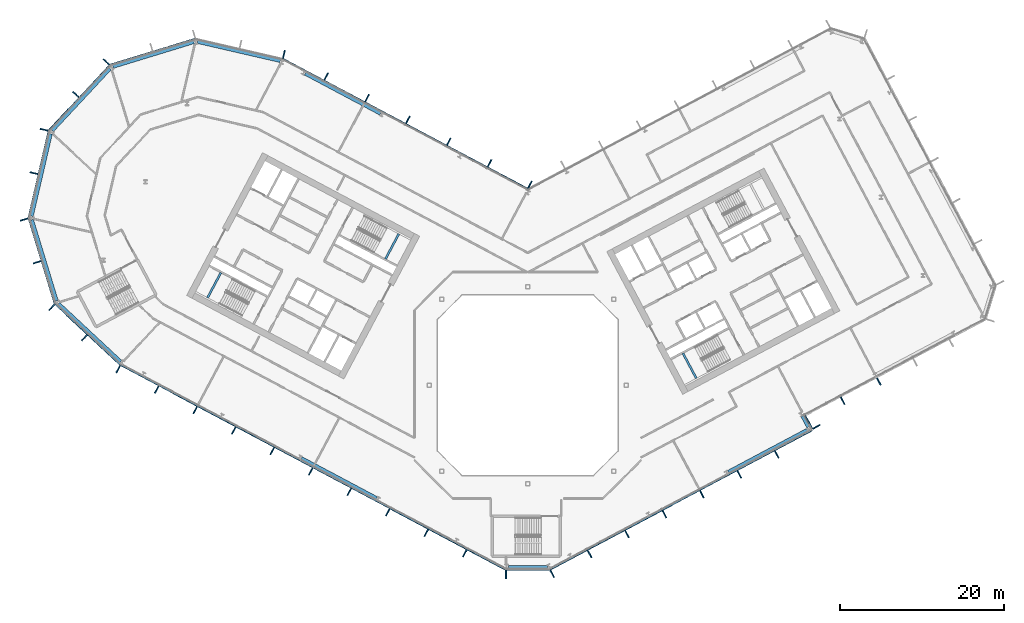
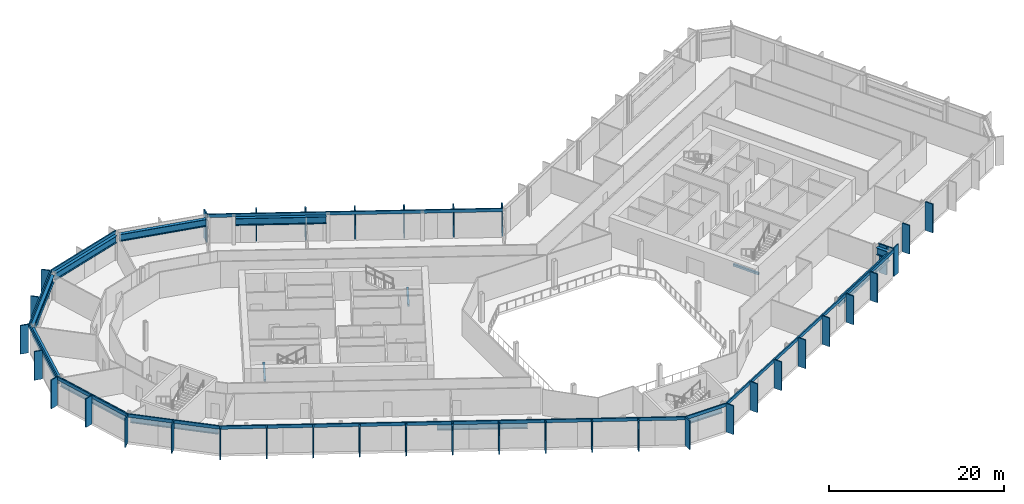
# One storey, part 9 of 28: 47 members, 14 beams, 12 elements without a shape of their own.
"""IFC4 building model written with IfcOpenShell, lengths in metres."""

from ifc_helpers import new_model, si_unit, direction, frame, origin, origin_2d, place, context, subcontext, project, spatial, rectangle, i_section, extrude, material, layer, layer_set, material_profile, profile_set, type_object, element, aggregate, save


model = new_model("IFC4")

# Units and contexts
model_context = context("Model", 3, precision=1e-05, world=origin(), true_north=direction((0.0, 1.0)))
body_context = subcontext(model_context, "Body", "Model", "MODEL_VIEW")
ifc_project = project(units=[si_unit("LENGTHUNIT", "METRE"), si_unit("AREAUNIT", "SQUARE_METRE"), si_unit("VOLUMEUNIT", "CUBIC_METRE"), si_unit("PLANEANGLEUNIT", "RADIAN"), si_unit("MASSUNIT", "GRAM", prefix="KILO")], contexts=[model_context])

# Site, building, storey
site_placement = place(None, origin())
site = spatial("IfcSite", under=ifc_project, at=site_placement, CompositionType="ELEMENT")
building_placement = place(site_placement, origin())
building = spatial("IfcBuilding", under=site, at=building_placement, Name="Cormorant Relay Tower", CompositionType="ELEMENT")
storey_placement = place(building_placement, frame((0.0, 0.0, 130.199951171875)))
storey = spatial("IfcBuildingStorey", under=building, at=storey_placement, Name="L26", CompositionType="ELEMENT", Elevation=130.199951171875)

# Curtain wall, member
ifc_material_1 = material(Name="Aluminium 6063-T6 anodised bronze", Category="aluminium")
ifc_layer = layer(ifc_material_1, 0.199951171875)
ifc_layer_set = layer_set([ifc_layer], Name="CW1 unitised bronze curtain wall with vertical fins")
curtain_wall_type = type_object("IfcCurtainWallType", Name="CW1 unitised bronze curtain wall with vertical fins", PredefinedType="NOTDEFINED", material=ifc_layer_set)
curtain_wall_1_placement = place(storey_placement, origin())
curtain_wall_1 = element("IfcCurtainWall", 1, at=curtain_wall_1_placement, inside=storey, type_object=curtain_wall_type, Name="CW1 curtain wall 1", PredefinedType="NOTDEFINED")
ifc_material_2 = material(Name="Aluminium 6063-T6 anodised bronze", Category="aluminium")
ifc_material_profile_1 = material_profile(ifc_material_2, rectangle(XDim=0.14990234375, YDim=1.0, at=origin_2d()), Name="AL 150x1000")
ifc_profile_set_1 = profile_set([ifc_material_profile_1], Name="Aluminium 6063-T6 anodised bronze")
member_type_1 = type_object("IfcMemberType", Name="CW1 bronze fin mullion 150 x 1000", PredefinedType="MULLION", material=ifc_profile_set_1)
member_1_placement = place(storey_placement, frame((-2.648681640625, -23.07568359375, 0.0), z_axis=(0.0, 0.0, 1.0), x_axis=(1.0, 0.0, 0.0)))
member_1 = element("IfcMember", 2, at=member_1_placement, type_object=member_type_1, Name="CW1 fin 1.1", PredefinedType="MULLION", context=body_context, shape_type="SweptSolid", body=[
    extrude(rectangle(XDim=0.14990234375, YDim=1.0, at=origin_2d()), origin(), (0.0, 0.0, 1.0), 4.0),
])

# Curtain wall, members
curtain_wall_2_placement = place(storey_placement, origin())
curtain_wall_2 = element("IfcCurtainWall", 3, at=curtain_wall_2_placement, inside=storey, type_object=curtain_wall_type, Name="CW1 curtain wall 2", PredefinedType="NOTDEFINED")
member_2_placement = place(storey_placement, frame((2.9775390625, -22.99365234375, 0.0), z_axis=(0.0, 0.0, 1.0), x_axis=(0.882947592859, 0.469471562786, 0.0)))
member_2 = element("IfcMember", 4, at=member_2_placement, type_object=member_type_1, Name="CW1 fin 2.1", PredefinedType="MULLION", context=body_context, shape_type="SweptSolid", body=[
    extrude(rectangle(XDim=0.14990234375, YDim=1.0, at=origin_2d()), origin(), (0.0, 0.0, 1.0), 4.0),
])
member_3_placement = place(storey_placement, frame((7.539306640625, -20.568115234375, 0.0), z_axis=(0.0, 0.0, 1.0), x_axis=(0.882947592859, 0.469471562786, 0.0)))
member_3 = element("IfcMember", 5, at=member_3_placement, type_object=member_type_1, Name="CW1 fin 2.2", PredefinedType="MULLION", context=body_context, shape_type="SweptSolid", body=[
    extrude(rectangle(XDim=0.14990234375, YDim=1.0, at=origin_2d()), origin(), (0.0, 0.0, 1.0), 4.0),
])
member_4_placement = place(storey_placement, frame((12.10107421875, -18.142578125, 0.0), z_axis=(0.0, 0.0, 1.0), x_axis=(0.882947592859, 0.469471562786, 0.0)))
member_4 = element("IfcMember", 6, at=member_4_placement, type_object=member_type_1, Name="CW1 fin 2.3", PredefinedType="MULLION", context=body_context, shape_type="SweptSolid", body=[
    extrude(rectangle(XDim=0.14990234375, YDim=1.0, at=origin_2d()), origin(), (0.0, 0.0, 1.0), 4.0),
])
member_5_placement = place(storey_placement, frame((16.662841796875, -15.717041015625, 0.0), z_axis=(0.0, 0.0, 1.0), x_axis=(0.882947592859, 0.469471562786, 0.0)))
member_5 = element("IfcMember", 7, at=member_5_placement, type_object=member_type_1, Name="CW1 fin 2.4", PredefinedType="MULLION", context=body_context, shape_type="SweptSolid", body=[
    extrude(rectangle(XDim=0.14990234375, YDim=1.0, at=origin_2d()), origin(), (0.0, 0.0, 1.0), 4.0),
])
member_6_placement = place(storey_placement, frame((21.224609375, -13.29150390625, 0.0), z_axis=(0.0, 0.0, 1.0), x_axis=(0.882947592859, 0.469471562786, 0.0)))
member_6 = element("IfcMember", 8, at=member_6_placement, type_object=member_type_1, Name="CW1 fin 2.5", PredefinedType="MULLION", context=body_context, shape_type="SweptSolid", body=[
    extrude(rectangle(XDim=0.14990234375, YDim=1.0, at=origin_2d()), origin(), (0.0, 0.0, 1.0), 4.0),
])
member_7_placement = place(storey_placement, frame((25.78662109375, -10.865966796875, 0.0), z_axis=(0.0, 0.0, 1.0), x_axis=(0.882947592859, 0.469471562786, 0.0)))
member_7 = element("IfcMember", 9, at=member_7_placement, type_object=member_type_1, Name="CW1 fin 2.6", PredefinedType="MULLION", context=body_context, shape_type="SweptSolid", body=[
    extrude(rectangle(XDim=0.14990234375, YDim=1.0, at=origin_2d()), origin(), (0.0, 0.0, 1.0), 4.0),
])
member_8_placement = place(storey_placement, frame((30.348388671875, -8.440185546875, 0.0), z_axis=(0.0, 0.0, 1.0), x_axis=(0.882947592859, 0.469471562786, 0.0)))
member_8 = element("IfcMember", 10, at=member_8_placement, type_object=member_type_1, Name="CW1 fin 2.7", PredefinedType="MULLION", context=body_context, shape_type="SweptSolid", body=[
    extrude(rectangle(XDim=0.14990234375, YDim=1.0, at=origin_2d()), origin(), (0.0, 0.0, 1.0), 4.0),
])

# Curtain wall, member
curtain_wall_3_placement = place(storey_placement, origin())
curtain_wall_3 = element("IfcCurtainWall", 11, at=curtain_wall_3_placement, inside=storey, type_object=curtain_wall_type, Name="CW1 curtain wall 3", PredefinedType="NOTDEFINED")
member_9_placement = place(storey_placement, frame((35.199462890625, -5.068115234375, 0.0), z_axis=(0.0, 0.0, 1.0), x_axis=(-0.469471562786, 0.882947592859, 0.0)))
member_9 = element("IfcMember", 12, at=member_9_placement, type_object=member_type_1, Name="CW1 fin 3.1", PredefinedType="MULLION", context=body_context, shape_type="SweptSolid", body=[
    extrude(rectangle(XDim=0.14990234375, YDim=1.0, at=origin_2d()), origin(), (0.0, 0.0, 1.0), 4.0),
])

# Curtain wall, members
curtain_wall_4_placement = place(storey_placement, origin())
curtain_wall_4 = element("IfcCurtainWall", 13, at=curtain_wall_4_placement, inside=storey, type_object=curtain_wall_type, Name="CW1 curtain wall 4", PredefinedType="NOTDEFINED")
member_10_placement = place(storey_placement, frame((34.037353515625, -4.213623046875, 0.0), z_axis=(0.0, 0.0, 1.0), x_axis=(0.882947592859, 0.469471562786, 0.0)))
member_10 = element("IfcMember", 14, at=member_10_placement, type_object=member_type_1, Name="CW1 fin 4.1", PredefinedType="MULLION", context=body_context, shape_type="SweptSolid", body=[
    extrude(rectangle(XDim=0.14990234375, YDim=1.0, at=origin_2d()), origin(), (0.0, 0.0, 1.0), 4.0),
])
member_11_placement = place(storey_placement, frame((38.385986328125, -1.901611328125, 0.0), z_axis=(0.0, 0.0, 1.0), x_axis=(0.882947592859, 0.469471562786, 0.0)))
member_11 = element("IfcMember", 15, at=member_11_placement, type_object=member_type_1, Name="CW1 fin 4.2", PredefinedType="MULLION", context=body_context, shape_type="SweptSolid", body=[
    extrude(rectangle(XDim=0.14990234375, YDim=1.0, at=origin_2d()), origin(), (0.0, 0.0, 1.0), 4.0),
])
member_12_placement = place(storey_placement, frame((42.800537109375, 0.44580078125, 0.0), z_axis=(0.0, 0.0, 1.0), x_axis=(0.882947592859, 0.469471562786, 0.0)))
member_12 = element("IfcMember", 16, at=member_12_placement, type_object=member_type_1, Name="CW1 fin 4.3", PredefinedType="MULLION", context=body_context, shape_type="SweptSolid", body=[
    extrude(rectangle(XDim=0.14990234375, YDim=1.0, at=origin_2d()), origin(), (0.0, 0.0, 1.0), 4.0),
])
aggregate(curtain_wall_4, [member_10, member_11, member_12])

curtain_wall_5_placement = place(storey_placement, origin())
curtain_wall_5 = element("IfcCurtainWall", 17, at=curtain_wall_5_placement, inside=storey, type_object=curtain_wall_type, Name="CW1 curtain wall 9", PredefinedType="NOTDEFINED")
member_13_placement = place(storey_placement, frame((0.262451171875, 24.437255859375, 0.0), z_axis=(0.0, 0.0, 1.0), x_axis=(-0.882947592859, 0.469471562786, 0.0)))
member_13 = element("IfcMember", 18, at=member_13_placement, type_object=member_type_1, Name="CW1 fin 9.1", PredefinedType="MULLION", context=body_context, shape_type="SweptSolid", body=[
    extrude(rectangle(XDim=0.14990234375, YDim=1.0, at=origin_2d()), origin(), (0.0, 0.0, 1.0), 4.0),
])
member_14_placement = place(storey_placement, frame((-4.650390625, 27.04931640625, 0.0), z_axis=(0.0, 0.0, 1.0), x_axis=(-0.882947592859, 0.469471562786, 0.0)))
member_14 = element("IfcMember", 19, at=member_14_placement, type_object=member_type_1, Name="CW1 fin 9.2", PredefinedType="MULLION", context=body_context, shape_type="SweptSolid", body=[
    extrude(rectangle(XDim=0.14990234375, YDim=1.0, at=origin_2d()), origin(), (0.0, 0.0, 1.0), 4.0),
])
member_15_placement = place(storey_placement, frame((-9.62939453125, 29.69677734375, 0.0), z_axis=(0.0, 0.0, 1.0), x_axis=(-0.882947592859, 0.469471562786, 0.0)))
member_15 = element("IfcMember", 20, at=member_15_placement, type_object=member_type_1, Name="CW1 fin 9.3", PredefinedType="MULLION", context=body_context, shape_type="SweptSolid", body=[
    extrude(rectangle(XDim=0.14990234375, YDim=1.0, at=origin_2d()), origin(), (0.0, 0.0, 1.0), 4.0),
])
member_16_placement = place(storey_placement, frame((-14.608154296875, 32.343994140625, 0.0), z_axis=(0.0, 0.0, 1.0), x_axis=(-0.882947592859, 0.469471562786, 0.0)))
member_16 = element("IfcMember", 21, at=member_16_placement, type_object=member_type_1, Name="CW1 fin 9.4", PredefinedType="MULLION", context=body_context, shape_type="SweptSolid", body=[
    extrude(rectangle(XDim=0.14990234375, YDim=1.0, at=origin_2d()), origin(), (0.0, 0.0, 1.0), 4.0),
])
member_17_placement = place(storey_placement, frame((-19.587158203125, 34.991455078125, 0.0), z_axis=(0.0, 0.0, 1.0), x_axis=(-0.882947592859, 0.469471562786, 0.0)))
member_17 = element("IfcMember", 22, at=member_17_placement, type_object=member_type_1, Name="CW1 fin 9.5", PredefinedType="MULLION", context=body_context, shape_type="SweptSolid", body=[
    extrude(rectangle(XDim=0.14990234375, YDim=1.0, at=origin_2d()), origin(), (0.0, 0.0, 1.0), 4.0),
])
member_18_placement = place(storey_placement, frame((-24.566162109375, 37.638916015625, 0.0), z_axis=(0.0, 0.0, 1.0), x_axis=(-0.882947592859, 0.469471562786, 0.0)))
member_18 = element("IfcMember", 23, at=member_18_placement, type_object=member_type_1, Name="CW1 fin 9.6", PredefinedType="MULLION", context=body_context, shape_type="SweptSolid", body=[
    extrude(rectangle(XDim=0.14990234375, YDim=1.0, at=origin_2d()), origin(), (0.0, 0.0, 1.0), 4.0),
])

# Curtain wall, member
curtain_wall_6_placement = place(storey_placement, origin())
curtain_wall_6 = element("IfcCurtainWall", 24, at=curtain_wall_6_placement, inside=storey, type_object=curtain_wall_type, Name="CW1 curtain wall 10", PredefinedType="NOTDEFINED")
member_19_placement = place(storey_placement, frame((-29.71630859375, 40.35009765625, 0.0), z_axis=(0.0, 0.0, 1.0), x_axis=(-0.974370064785, 0.224951054344, 0.0)))
member_19 = element("IfcMember", 25, at=member_19_placement, type_object=member_type_1, Name="CW1 fin 10.1", PredefinedType="MULLION", context=body_context, shape_type="SweptSolid", body=[
    extrude(rectangle(XDim=0.14990234375, YDim=1.0, at=origin_2d()), origin(), (0.0, 0.0, 1.0), 4.0),
])
aggregate(curtain_wall_6, [member_19])

# Curtain wall, members
curtain_wall_7_placement = place(storey_placement, origin())
curtain_wall_7 = element("IfcCurtainWall", 26, at=curtain_wall_7_placement, inside=storey, type_object=curtain_wall_type, Name="CW1 curtain wall 12", PredefinedType="NOTDEFINED")
member_20_placement = place(storey_placement, frame((-51.372802734375, 39.41259765625, 0.0), z_axis=(0.0, 0.0, 1.0), x_axis=(-0.681998360062, -0.731353701619, 0.0)))
member_20 = element("IfcMember", 27, at=member_20_placement, type_object=member_type_1, Name="CW1 fin 12.1", PredefinedType="MULLION", context=body_context, shape_type="SweptSolid", body=[
    extrude(rectangle(XDim=0.14990234375, YDim=1.0, at=origin_2d()), origin(), (0.0, 0.0, 1.0), 4.0),
])
member_21_placement = place(storey_placement, frame((-55.07958984375, 35.4375, 0.0), z_axis=(0.0, 0.0, 1.0), x_axis=(-0.681998360062, -0.731353701619, 0.0)))
member_21 = element("IfcMember", 28, at=member_21_placement, type_object=member_type_1, Name="CW1 fin 12.2", PredefinedType="MULLION", context=body_context, shape_type="SweptSolid", body=[
    extrude(rectangle(XDim=0.14990234375, YDim=1.0, at=origin_2d()), origin(), (0.0, 0.0, 1.0), 4.0),
])

curtain_wall_8_placement = place(storey_placement, origin())
curtain_wall_8 = element("IfcCurtainWall", 29, at=curtain_wall_8_placement, inside=storey, type_object=curtain_wall_type, Name="CW1 curtain wall 13", PredefinedType="NOTDEFINED")
member_22_placement = place(storey_placement, frame((-58.95654296875, 31.142578125, 0.0), z_axis=(0.0, 0.0, 1.0), x_axis=(-0.224951054344, -0.974370064785, 0.0)))
member_22 = element("IfcMember", 30, at=member_22_placement, type_object=member_type_1, Name="CW1 fin 13.1", PredefinedType="MULLION", context=body_context, shape_type="SweptSolid", body=[
    extrude(rectangle(XDim=0.14990234375, YDim=1.0, at=origin_2d()), origin(), (0.0, 0.0, 1.0), 4.0),
])
member_23_placement = place(storey_placement, frame((-60.17919921875, 25.8466796875, 0.0), z_axis=(0.0, 0.0, 1.0), x_axis=(-0.224951054344, -0.974370064785, 0.0)))
member_23 = element("IfcMember", 31, at=member_23_placement, type_object=member_type_1, Name="CW1 fin 13.2", PredefinedType="MULLION", context=body_context, shape_type="SweptSolid", body=[
    extrude(rectangle(XDim=0.14990234375, YDim=1.0, at=origin_2d()), origin(), (0.0, 0.0, 1.0), 4.0),
])

curtain_wall_9_placement = place(storey_placement, origin())
curtain_wall_9 = element("IfcCurtainWall", 32, at=curtain_wall_9_placement, inside=storey, type_object=curtain_wall_type, Name="CW1 curtain wall 14", PredefinedType="NOTDEFINED")
member_24_placement = place(storey_placement, frame((-61.389404296875, 20.188720703125, 0.0), z_axis=(0.0, 0.0, 1.0), x_axis=(0.292371704723, -0.956304755963, 0.0)))
member_24 = element("IfcMember", 33, at=member_24_placement, type_object=member_type_1, Name="CW1 fin 14.1", PredefinedType="MULLION", context=body_context, shape_type="SweptSolid", body=[
    extrude(rectangle(XDim=0.14990234375, YDim=1.0, at=origin_2d()), origin(), (0.0, 0.0, 1.0), 4.0),
])
member_25_placement = place(storey_placement, frame((-59.80029296875, 14.990966796875, 0.0), z_axis=(0.0, 0.0, 1.0), x_axis=(0.292371704723, -0.956304755963, 0.0)))
member_25 = element("IfcMember", 34, at=member_25_placement, type_object=member_type_1, Name="CW1 fin 14.2", PredefinedType="MULLION", context=body_context, shape_type="SweptSolid", body=[
    extrude(rectangle(XDim=0.14990234375, YDim=1.0, at=origin_2d()), origin(), (0.0, 0.0, 1.0), 4.0),
])

curtain_wall_10_placement = place(storey_placement, origin())
curtain_wall_10 = element("IfcCurtainWall", 35, at=curtain_wall_10_placement, inside=storey, type_object=curtain_wall_type, Name="CW1 curtain wall 15", PredefinedType="NOTDEFINED")
member_26_placement = place(storey_placement, frame((-58.01904296875, 9.486083984375, 0.0), z_axis=(0.0, 0.0, 1.0), x_axis=(0.731353701619, -0.681998360062, 0.0)))
member_26 = element("IfcMember", 36, at=member_26_placement, type_object=member_type_1, Name="CW1 fin 15.1", PredefinedType="MULLION", context=body_context, shape_type="SweptSolid", body=[
    extrude(rectangle(XDim=0.14990234375, YDim=1.0, at=origin_2d()), origin(), (0.0, 0.0, 1.0), 4.0),
])
member_27_placement = place(storey_placement, frame((-54.0439453125, 5.779296875, 0.0), z_axis=(0.0, 0.0, 1.0), x_axis=(0.731353701619, -0.681998360062, 0.0)))
member_27 = element("IfcMember", 37, at=member_27_placement, type_object=member_type_1, Name="CW1 fin 15.2", PredefinedType="MULLION", context=body_context, shape_type="SweptSolid", body=[
    extrude(rectangle(XDim=0.14990234375, YDim=1.0, at=origin_2d()), origin(), (0.0, 0.0, 1.0), 4.0),
])

curtain_wall_11_placement = place(storey_placement, origin())
curtain_wall_11 = element("IfcCurtainWall", 38, at=curtain_wall_11_placement, inside=storey, type_object=curtain_wall_type, Name="CW1 curtain wall 16", PredefinedType="NOTDEFINED")
member_28_placement = place(storey_placement, frame((-49.920166015625, 1.96630859375, 0.0), z_axis=(0.0, 0.0, 1.0), x_axis=(0.882947592859, -0.469471562786, 0.0)))
member_28 = element("IfcMember", 39, at=member_28_placement, type_object=member_type_1, Name="CW1 fin 16.1", PredefinedType="MULLION", context=body_context, shape_type="SweptSolid", body=[
    extrude(rectangle(XDim=0.14990234375, YDim=1.0, at=origin_2d()), origin(), (0.0, 0.0, 1.0), 4.0),
])
member_29_placement = place(storey_placement, frame((-45.225830078125, -0.52978515625, 0.0), z_axis=(0.0, 0.0, 1.0), x_axis=(0.882947592859, -0.469471562786, 0.0)))
member_29 = element("IfcMember", 40, at=member_29_placement, type_object=member_type_1, Name="CW1 fin 16.2", PredefinedType="MULLION", context=body_context, shape_type="SweptSolid", body=[
    extrude(rectangle(XDim=0.14990234375, YDim=1.0, at=origin_2d()), origin(), (0.0, 0.0, 1.0), 4.0),
])
member_30_placement = place(storey_placement, frame((-40.531494140625, -3.025634765625, 0.0), z_axis=(0.0, 0.0, 1.0), x_axis=(0.882947592859, -0.469471562786, 0.0)))
member_30 = element("IfcMember", 41, at=member_30_placement, type_object=member_type_1, Name="CW1 fin 16.3", PredefinedType="MULLION", context=body_context, shape_type="SweptSolid", body=[
    extrude(rectangle(XDim=0.14990234375, YDim=1.0, at=origin_2d()), origin(), (0.0, 0.0, 1.0), 4.0),
])
member_31_placement = place(storey_placement, frame((-35.83740234375, -5.521728515625, 0.0), z_axis=(0.0, 0.0, 1.0), x_axis=(0.882947592859, -0.469471562786, 0.0)))
member_31 = element("IfcMember", 42, at=member_31_placement, type_object=member_type_1, Name="CW1 fin 16.4", PredefinedType="MULLION", context=body_context, shape_type="SweptSolid", body=[
    extrude(rectangle(XDim=0.14990234375, YDim=1.0, at=origin_2d()), origin(), (0.0, 0.0, 1.0), 4.0),
])
member_32_placement = place(storey_placement, frame((-31.14306640625, -8.017578125, 0.0), z_axis=(0.0, 0.0, 1.0), x_axis=(0.882947592859, -0.469471562786, 0.0)))
member_32 = element("IfcMember", 43, at=member_32_placement, type_object=member_type_1, Name="CW1 fin 16.5", PredefinedType="MULLION", context=body_context, shape_type="SweptSolid", body=[
    extrude(rectangle(XDim=0.14990234375, YDim=1.0, at=origin_2d()), origin(), (0.0, 0.0, 1.0), 4.0),
])
member_33_placement = place(storey_placement, frame((-26.44873046875, -10.513671875, 0.0), z_axis=(0.0, 0.0, 1.0), x_axis=(0.882947592859, -0.469471562786, 0.0)))
member_33 = element("IfcMember", 44, at=member_33_placement, type_object=member_type_1, Name="CW1 fin 16.6", PredefinedType="MULLION", context=body_context, shape_type="SweptSolid", body=[
    extrude(rectangle(XDim=0.14990234375, YDim=1.0, at=origin_2d()), origin(), (0.0, 0.0, 1.0), 4.0),
])
member_34_placement = place(storey_placement, frame((-21.754638671875, -13.009765625, 0.0), z_axis=(0.0, 0.0, 1.0), x_axis=(0.882947592859, -0.469471562786, 0.0)))
member_34 = element("IfcMember", 45, at=member_34_placement, type_object=member_type_1, Name="CW1 fin 16.7", PredefinedType="MULLION", context=body_context, shape_type="SweptSolid", body=[
    extrude(rectangle(XDim=0.14990234375, YDim=1.0, at=origin_2d()), origin(), (0.0, 0.0, 1.0), 4.0),
])
member_35_placement = place(storey_placement, frame((-17.060302734375, -15.505615234375, 0.0), z_axis=(0.0, 0.0, 1.0), x_axis=(0.882947592859, -0.469471562786, 0.0)))
member_35 = element("IfcMember", 46, at=member_35_placement, type_object=member_type_1, Name="CW1 fin 16.8", PredefinedType="MULLION", context=body_context, shape_type="SweptSolid", body=[
    extrude(rectangle(XDim=0.14990234375, YDim=1.0, at=origin_2d()), origin(), (0.0, 0.0, 1.0), 4.0),
])
member_36_placement = place(storey_placement, frame((-12.365966796875, -18.001708984375, 0.0), z_axis=(0.0, 0.0, 1.0), x_axis=(0.882947592859, -0.469471562786, 0.0)))
member_36 = element("IfcMember", 47, at=member_36_placement, type_object=member_type_1, Name="CW1 fin 16.9", PredefinedType="MULLION", context=body_context, shape_type="SweptSolid", body=[
    extrude(rectangle(XDim=0.14990234375, YDim=1.0, at=origin_2d()), origin(), (0.0, 0.0, 1.0), 4.0),
])
member_37_placement = place(storey_placement, frame((-7.671630859375, -20.49755859375, 0.0), z_axis=(0.0, 0.0, 1.0), x_axis=(0.882947592859, -0.469471562786, 0.0)))
member_37 = element("IfcMember", 48, at=member_37_placement, type_object=member_type_1, Name="CW1 fin 16.10", PredefinedType="MULLION", context=body_context, shape_type="SweptSolid", body=[
    extrude(rectangle(XDim=0.14990234375, YDim=1.0, at=origin_2d()), origin(), (0.0, 0.0, 1.0), 4.0),
])

# Member
ifc_material_3 = material(Name="Aluminium 6063-T6 anodised bronze", Category="aluminium")
ifc_material_profile_2 = material_profile(ifc_material_3, rectangle(XDim=0.159912109375, YDim=0.449951171875, at=origin_2d()), Name="AL 160x450")
ifc_profile_set_2 = profile_set([ifc_material_profile_2], Name="Aluminium 6063-T6 anodised bronze")
member_type_2 = type_object("IfcMemberType", Name="CW1 bronze transom 160 x 450", PredefinedType="USERDEFINED", material=ifc_profile_set_2)
member_38_placement = place(storey_placement, frame((-2.648681640625, -22.49560546875, 3.775146484375), z_axis=(1.0, 0.0, 0.0), x_axis=(0.0, 1.0, 0.0)))
member_38 = element("IfcMember", 49, at=member_38_placement, type_object=member_type_2, Name="CW1 transom 1", ObjectType="TRANSOM", PredefinedType="USERDEFINED", context=body_context, shape_type="SweptSolid", body=[
    extrude(rectangle(XDim=0.159912109375, YDim=0.449951171875, at=origin_2d()), origin(), (0.0, 0.0, 1.0), 5.29736328125),
])

aggregate(curtain_wall_1, [member_1, member_38])

member_39_placement = place(storey_placement, frame((2.705078125, -22.4814453125, 3.775146484375), z_axis=(0.882948899141, 0.469469106018, 0.0), x_axis=(-0.469469106018, 0.882948899141, 0.0)))
member_39 = element("IfcMember", 50, at=member_39_placement, type_object=member_type_2, Name="CW1 transom 2", ObjectType="TRANSOM", PredefinedType="USERDEFINED", context=body_context, shape_type="SweptSolid", body=[
    extrude(rectangle(XDim=0.159912109375, YDim=0.449951171875, at=origin_2d()), origin(), (0.0, 0.0, 1.0), 36.165771484375),
])

aggregate(curtain_wall_2, [member_2, member_3, member_4, member_5, member_6, member_7, member_8, member_39])

member_40_placement = place(storey_placement, frame((34.6875, -5.34033203125, 3.775146484375), z_axis=(-0.469580583036, 0.88288961713, 0.0), x_axis=(-0.88288961713, -0.469580583036, 0.0)))
member_40 = element("IfcMember", 51, at=member_40_placement, type_object=member_type_2, Name="CW1 transom 3", ObjectType="TRANSOM", PredefinedType="USERDEFINED", context=body_context, shape_type="SweptSolid", body=[
    extrude(rectangle(XDim=0.159912109375, YDim=0.449951171875, at=origin_2d()), origin(), (0.0, 0.0, 1.0), 2.0),
])

aggregate(curtain_wall_3, [member_9, member_40])

member_41_placement = place(storey_placement, frame((0.056396484375, 23.889892578125, 3.775146484375), z_axis=(-0.882946280328, 0.46947403129, 0.0), x_axis=(-0.46947403129, -0.882946280328, 0.0)))
member_41 = element("IfcMember", 52, at=member_41_placement, type_object=member_type_2, Name="CW1 transom 9", ObjectType="TRANSOM", PredefinedType="USERDEFINED", context=body_context, shape_type="SweptSolid", body=[
    extrude(rectangle(XDim=0.159912109375, YDim=0.449951171875, at=origin_2d()), origin(), (0.0, 0.0, 1.0), 33.834228515625),
])

aggregate(curtain_wall_5, [member_13, member_14, member_15, member_16, member_17, member_18, member_41])

# Curtain wall, member
curtain_wall_12_placement = place(storey_placement, origin())
curtain_wall_12 = element("IfcCurtainWall", 53, at=curtain_wall_12_placement, inside=storey, type_object=curtain_wall_type, Name="CW1 curtain wall 11", PredefinedType="NOTDEFINED")
member_42_placement = place(storey_placement, frame((-40.50048828125, 42.228271484375, 3.775146484375), z_axis=(-0.956304833932, -0.292371449698, 0.0), x_axis=(0.292371449698, -0.956304833932, 0.0)))
member_42 = element("IfcMember", 54, at=member_42_placement, type_object=member_type_2, Name="CW1 transom 11", ObjectType="TRANSOM", PredefinedType="USERDEFINED", context=body_context, shape_type="SweptSolid", body=[
    extrude(rectangle(XDim=0.159912109375, YDim=0.449951171875, at=origin_2d()), origin(), (0.0, 0.0, 1.0), 10.87060546875),
])
aggregate(curtain_wall_12, [member_42])

# Member
member_43_placement = place(storey_placement, frame((-50.94873046875, 39.01708984375, 3.775146484375), z_axis=(-0.681993299437, -0.731358420696, 0.0), x_axis=(0.731358420696, -0.681993299437, 0.0)))
member_43 = element("IfcMember", 55, at=member_43_placement, type_object=member_type_2, Name="CW1 transom 12", ObjectType="TRANSOM", PredefinedType="USERDEFINED", context=body_context, shape_type="SweptSolid", body=[
    extrude(rectangle(XDim=0.159912109375, YDim=0.449951171875, at=origin_2d()), origin(), (0.0, 0.0, 1.0), 10.870361328125),
])

aggregate(curtain_wall_7, [member_20, member_21, member_43])

member_44_placement = place(storey_placement, frame((-58.3916015625, 31.01220703125, 3.775146484375), z_axis=(-0.22495136131, -0.974369993916, 0.0), x_axis=(0.974369993916, -0.22495136131, 0.0)))
member_44 = element("IfcMember", 56, at=member_44_placement, type_object=member_type_2, Name="CW1 transom 13", ObjectType="TRANSOM", PredefinedType="USERDEFINED", context=body_context, shape_type="SweptSolid", body=[
    extrude(rectangle(XDim=0.159912109375, YDim=0.449951171875, at=origin_2d()), origin(), (0.0, 0.0, 1.0), 10.870361328125),
])

aggregate(curtain_wall_8, [member_22, member_23, member_44])

member_45_placement = place(storey_placement, frame((-60.834716796875, 20.358154296875, 3.775146484375), z_axis=(0.292377729282, -0.95630291405, 0.0), x_axis=(0.95630291405, 0.292377729282, 0.0)))
member_45 = element("IfcMember", 57, at=member_45_placement, type_object=member_type_2, Name="CW1 transom 14", ObjectType="TRANSOM", PredefinedType="USERDEFINED", context=body_context, shape_type="SweptSolid", body=[
    extrude(rectangle(XDim=0.159912109375, YDim=0.449951171875, at=origin_2d()), origin(), (0.0, 0.0, 1.0), 10.870361328125),
])

aggregate(curtain_wall_9, [member_24, member_25, member_45])

member_46_placement = place(storey_placement, frame((-57.62353515625, 9.91015625, 3.775146484375), z_axis=(0.731358420696, -0.681993299437, 0.0), x_axis=(0.681993299437, 0.731358420696, 0.0)))
member_46 = element("IfcMember", 58, at=member_46_placement, type_object=member_type_2, Name="CW1 transom 15", ObjectType="TRANSOM", PredefinedType="USERDEFINED", context=body_context, shape_type="SweptSolid", body=[
    extrude(rectangle(XDim=0.159912109375, YDim=0.449951171875, at=origin_2d()), origin(), (0.0, 0.0, 1.0), 10.870361328125),
])

aggregate(curtain_wall_10, [member_26, member_27, member_46])

member_47_placement = place(storey_placement, frame((-49.64794921875, 2.478515625, 3.775146484375), z_axis=(0.882947642542, -0.469471469346, 0.0), x_axis=(0.469471469346, 0.882947642542, 0.0)))
member_47 = element("IfcMember", 59, at=member_47_placement, type_object=member_type_2, Name="CW1 transom 16", ObjectType="TRANSOM", PredefinedType="USERDEFINED", context=body_context, shape_type="SweptSolid", body=[
    extrude(rectangle(XDim=0.159912109375, YDim=0.449951171875, at=origin_2d()), origin(), (0.0, 0.0, 1.0), 53.166015625),
])

aggregate(curtain_wall_11, [member_28, member_29, member_30, member_31, member_32, member_33, member_34, member_35, member_36, member_37, member_47])

# Beams
ifc_material_4 = material(Name="Steel ASTM A992 (Fy 345 MPa)", Category="steel")
ifc_material_profile_3 = material_profile(ifc_material_4, i_section(OverallWidth=0.4013671875, OverallDepth=1.000732421875, WebThickness=0.01904296875, FlangeThickness=0.0361328125, FilletRadius=0.02978515625, at=origin_2d()), Name="W1000x371")
ifc_profile_set_3 = profile_set([ifc_material_profile_3], Name="Steel ASTM A992 (Fy 345 MPa)")
beam_type_1 = type_object("IfcBeamType", Name="Spandrel W1000x371", PredefinedType="SPANDREL", material=ifc_profile_set_3)
beam_1_placement = place(storey_placement, frame((-2.35888671875, -22.1748046875, 3.1396484375), z_axis=(1.0, 0.0, 0.0), x_axis=(0.0, 1.0, 0.0)))
element("IfcBeam", 60, at=beam_1_placement, inside=storey, type_object=beam_type_1, Name="Spandrel beam L26-001", PredefinedType="SPANDREL", context=body_context, shape_type="SweptSolid", body=[
    extrude(i_section(OverallWidth=0.4013671875, OverallDepth=1.000732421875, WebThickness=0.01904296875, FlangeThickness=0.0361328125, FilletRadius=0.02978515625, at=origin_2d()), origin(), (0.0, 0.0, 1.0), 4.748046875),
])
beam_2_placement = place(storey_placement, frame((24.427001953125, -10.568603515625, 3.1396484375), z_axis=(0.88295524081, 0.469457178799, 0.0), x_axis=(-0.469457178799, 0.88295524081, 0.0)))
element("IfcBeam", 61, at=beam_2_placement, inside=storey, type_object=beam_type_1, Name="Spandrel beam L26-002", PredefinedType="SPANDREL", context=body_context, shape_type="SweptSolid", body=[
    extrude(i_section(OverallWidth=0.4013671875, OverallDepth=1.000732421875, WebThickness=0.01904296875, FlangeThickness=0.0361328125, FilletRadius=0.02978515625, at=origin_2d()), origin(), (0.0, 0.0, 1.0), 10.915771484375),
])
beam_3_placement = place(storey_placement, frame((34.191650390625, -5.091064453125, 3.1396484375), z_axis=(-0.469471937736, 0.882947393494, 0.0), x_axis=(-0.882947393494, -0.469471937736, 0.0)))
element("IfcBeam", 62, at=beam_3_placement, inside=storey, type_object=beam_type_1, Name="Spandrel beam L26-003", PredefinedType="SPANDREL", context=body_context, shape_type="SweptSolid", body=[
    extrude(i_section(OverallWidth=0.4013671875, OverallDepth=1.000732421875, WebThickness=0.01904296875, FlangeThickness=0.0361328125, FilletRadius=0.02978515625, at=origin_2d()), origin(), (0.0, 0.0, 1.0), 1.521728515625),
])
beam_4_placement = place(storey_placement, frame((-17.964599609375, 33.108642578125, 3.1396484375), z_axis=(-0.882946180893, 0.469474218299, 0.0), x_axis=(-0.469474218299, -0.882946180893, 0.0)))
element("IfcBeam", 63, at=beam_4_placement, inside=storey, type_object=beam_type_1, Name="Spandrel beam L26-009", PredefinedType="SPANDREL", context=body_context, shape_type="SweptSolid", body=[
    extrude(i_section(OverallWidth=0.4013671875, OverallDepth=1.000732421875, WebThickness=0.01904296875, FlangeThickness=0.0361328125, FilletRadius=0.02978515625, at=origin_2d()), origin(), (0.0, 0.0, 1.0), 10.388671875),
])
beam_5_placement = place(storey_placement, frame((-30.162109375, 39.52880859375, 3.1396484375), z_axis=(-0.974371727644, 0.224943851591, 0.0), x_axis=(-0.224943851591, -0.974371727644, 0.0)))
element("IfcBeam", 64, at=beam_5_placement, inside=storey, type_object=beam_type_1, Name="Spandrel beam L26-010", PredefinedType="SPANDREL", context=body_context, shape_type="SweptSolid", body=[
    extrude(i_section(OverallWidth=0.4013671875, OverallDepth=1.000732421875, WebThickness=0.01904296875, FlangeThickness=0.0361328125, FilletRadius=0.02978515625, at=origin_2d()), origin(), (0.0, 0.0, 1.0), 10.3583984375),
])
beam_6_placement = place(storey_placement, frame((-40.69140625, 41.834716796875, 3.1396484375), z_axis=(-0.95629714744, -0.292396589921, 0.0), x_axis=(0.292396589921, -0.95629714744, 0.0)))
element("IfcBeam", 65, at=beam_6_placement, inside=storey, type_object=beam_type_1, Name="Spandrel beam L26-011", PredefinedType="SPANDREL", context=body_context, shape_type="SweptSolid", body=[
    extrude(i_section(OverallWidth=0.4013671875, OverallDepth=1.000732421875, WebThickness=0.01904296875, FlangeThickness=0.0361328125, FilletRadius=0.02978515625, at=origin_2d()), origin(), (0.0, 0.0, 1.0), 10.31103515625),
])
beam_7_placement = place(storey_placement, frame((-50.917236328125, 38.58056640625, 3.1396484375), z_axis=(-0.682003508788, -0.731348900321, 0.0), x_axis=(0.731348900321, -0.682003508788, 0.0)))
element("IfcBeam", 66, at=beam_7_placement, inside=storey, type_object=beam_type_1, Name="Spandrel beam L26-012", PredefinedType="SPANDREL", context=body_context, shape_type="SweptSolid", body=[
    extrude(i_section(OverallWidth=0.4013671875, OverallDepth=1.000732421875, WebThickness=0.01904296875, FlangeThickness=0.0361328125, FilletRadius=0.02978515625, at=origin_2d()), origin(), (0.0, 0.0, 1.0), 10.310791015625),
])
for number, where, z_axis, x_axis, name in (
    (67, (-58.14599609375, 30.64990234375, 3.1396484375), (-0.224951162328, -0.974370039855, 0.0), (0.974370039855, -0.224951162328, 0.0), "Spandrel beam L26-013"),
    (68, (-60.44091796875, 20.16748046875, 3.1396484375), (0.292366522639, -0.95630634027, 0.0), (0.95630634027, 0.292366522639, 0.0), "Spandrel beam L26-014"),
):
    element("IfcBeam", number, at=place(storey_placement, frame(where, z_axis=z_axis, x_axis=x_axis)), inside=storey, type_object=beam_type_1, Name=name, PredefinedType="SPANDREL", context=body_context, shape_type="SweptSolid", body=[
        extrude(i_section(OverallWidth=0.4013671875, OverallDepth=1.000732421875, WebThickness=0.01904296875, FlangeThickness=0.0361328125, FilletRadius=0.02978515625, at=origin_2d()), origin(), (0.0, 0.0, 1.0), 10.310302734375),
    ])
beam_8_placement = place(storey_placement, frame((-57.1875, 9.94189453125, 3.1396484375), z_axis=(0.731351225545, -0.682001015317, 0.0), x_axis=(0.682001015317, 0.731351225545, 0.0)))
element("IfcBeam", 69, at=beam_8_placement, inside=storey, type_object=beam_type_1, Name="Spandrel beam L26-015", PredefinedType="SPANDREL", context=body_context, shape_type="SweptSolid", body=[
    extrude(i_section(OverallWidth=0.4013671875, OverallDepth=1.000732421875, WebThickness=0.01904296875, FlangeThickness=0.0361328125, FilletRadius=0.02978515625, at=origin_2d()), origin(), (0.0, 0.0, 1.0), 10.33935546875),
])
beam_9_placement = place(storey_placement, frame((-27.595458984375, -8.8837890625, 3.1396484375), z_axis=(0.882941619164, -0.4694827975, 0.0), x_axis=(0.4694827975, 0.882941619164, 0.0)))
element("IfcBeam", 70, at=beam_9_placement, inside=storey, type_object=beam_type_1, Name="Spandrel beam L26-016", PredefinedType="SPANDREL", context=body_context, shape_type="SweptSolid", body=[
    extrude(i_section(OverallWidth=0.4013671875, OverallDepth=1.000732421875, WebThickness=0.01904296875, FlangeThickness=0.0361328125, FilletRadius=0.02978515625, at=origin_2d()), origin(), (0.0, 0.0, 1.0), 10.388916015625),
])
ifc_material_5 = material(Name="Concrete 50 MPa", Category="concrete")
ifc_material_profile_4 = material_profile(ifc_material_5, rectangle(XDim=0.25, YDim=0.300048828125, at=origin_2d()), Name="RC 250x300")
ifc_profile_set_4 = profile_set([ifc_material_profile_4], Name="Concrete 50 MPa")
beam_type_2 = type_object("IfcBeamType", Name="Stair landing ledge beam 250x300", PredefinedType="BEAM", material=ifc_profile_set_4)
for number, where, z_axis, x_axis, name in (
    (71, (-17.338623046875, 15.3916015625, 1.650146484375), (0.469463917486, 0.882951657895, 0.0), (-0.882951657895, 0.469463917486, 0.0), "A1 landing ledge beam"),
    (72, (-37.404052734375, 13.715576171875, 1.650146484375), (-0.469463917486, -0.882951657895, 0.0), (0.882951657895, -0.469463917486, 0.0), "A2 landing ledge beam"),
    (73, (18.924072265625, 3.8896484375, 1.650146484375), (0.469463917486, -0.882951657895, 0.0), (0.882951657895, 0.469463917486, 0.0), "B1 landing ledge beam"),
):
    element("IfcBeam", number, at=place(storey_placement, frame(where, z_axis=z_axis, x_axis=x_axis)), inside=storey, type_object=beam_type_2, Name=name, PredefinedType="BEAM", context=body_context, shape_type="SweptSolid", body=[
        extrude(rectangle(XDim=0.25, YDim=0.300048828125, at=origin_2d()), origin(), (0.0, 0.0, 1.0), 3.449951171875),
    ])

save(model, "model.ifc")
